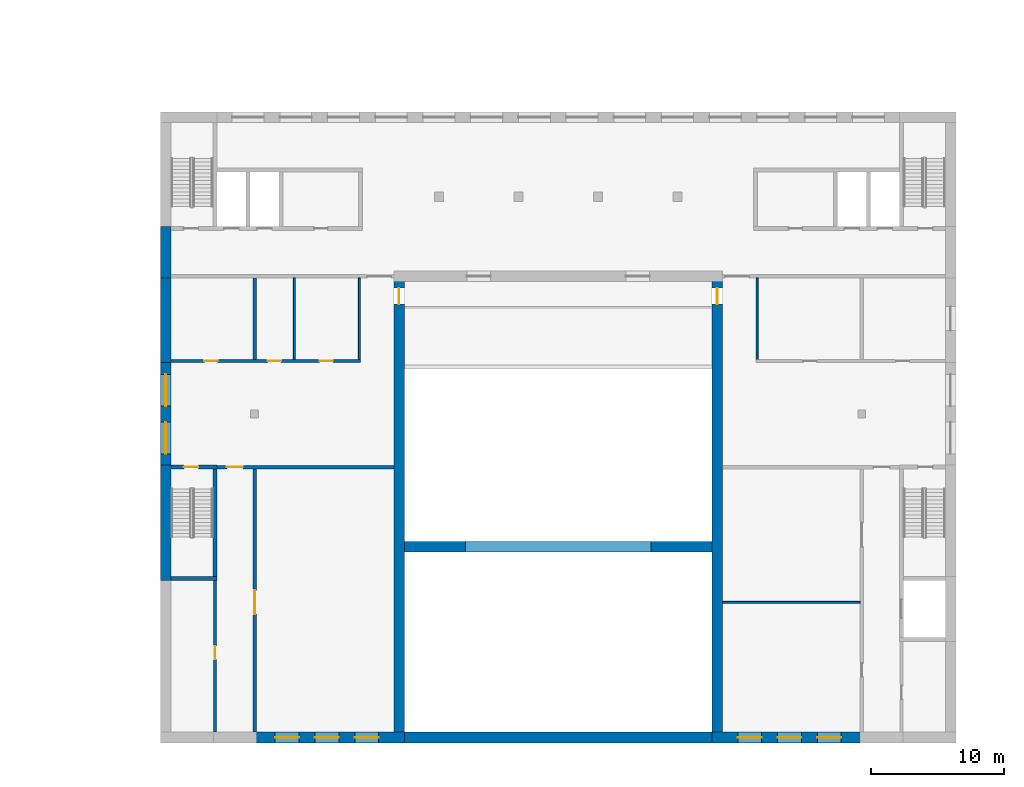
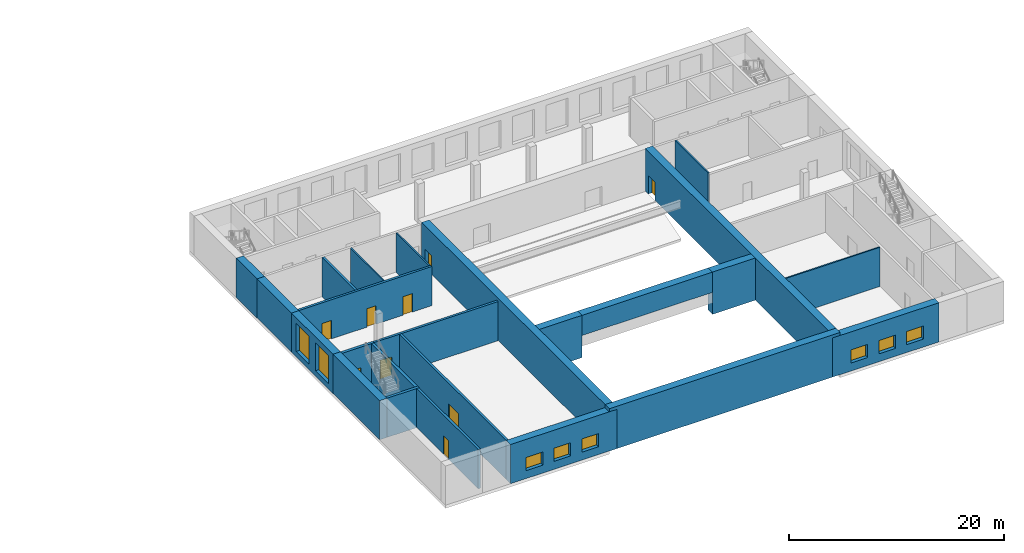
# One storey, part 4 of 27: 24 walls, 9 doors, 8 windows, 17 openings.
"""IFC4 building model written with IfcOpenShell, lengths in metres."""

from ifc_helpers import new_model, si_unit, direction, frame, frame_2d, origin, place, context, subcontext, project, spatial, rectangle, extrude, material, layer, layer_set, type_object, element, fill, save


model = new_model("IFC4")

# Units and contexts
model_context = context("Model", 3, precision=1e-05, world=origin(), true_north=direction((0.0, 1.0)))
body_context = subcontext(model_context, "Body", "Model", "MODEL_VIEW")
ifc_project = project(units=[si_unit("LENGTHUNIT", "METRE"), si_unit("AREAUNIT", "SQUARE_METRE"), si_unit("VOLUMEUNIT", "CUBIC_METRE"), si_unit("PLANEANGLEUNIT", "RADIAN"), si_unit("MASSUNIT", "GRAM", prefix="KILO")], contexts=[model_context])

# Site, building, storey
site_placement = place(None, origin())
site = spatial("IfcSite", under=ifc_project, at=site_placement, CompositionType="ELEMENT")
building_placement = place(site_placement, origin())
building = spatial("IfcBuilding", under=site, at=building_placement, Name="Kiln Ring Residences", CompositionType="ELEMENT")
storey_placement = place(building_placement, frame((0.0, 0.0, 6.5)))
storey = spatial("IfcBuildingStorey", under=building, at=storey_placement, Name="L01", CompositionType="ELEMENT", Elevation=6.5)

# Walls
ifc_material_1 = material(Name="Concrete C40/50", Category="concrete")
ifc_layer_1 = layer(ifc_material_1, 0.800048828125)
ifc_layer_set_1 = layer_set([ifc_layer_1], Name="Hall Board-marked concrete C40/50 hall wall 800")
wall_type_1 = type_object("IfcWallType", Name="Hall Board-marked concrete C40/50 hall wall 800", PredefinedType="SOLIDWALL", material=ifc_layer_set_1)
wall_1_placement = place(storey_placement, frame((-12.39990234375, -159.60009765625, 0.0), z_axis=(0.0, 0.0, 1.0), x_axis=(1.0, 0.0, 0.0)))
element("IfcWall", 1, at=wall_1_placement, inside=storey, type_object=wall_type_1, Name="Hall wall L01 4", PredefinedType="SOLIDWALL", context=body_context, shape_type="SweptSolid", body=[
    extrude(rectangle(XDim=24.7998046875, YDim=0.800048828125, at=frame_2d((12.39990234375, 0.0))), origin(), (0.0, 0.0, 1.0), 4.800048828125),
])
ifc_material_2 = material(Name="Concrete C40/50", Category="concrete")
ifc_layer_2 = layer(ifc_material_2, 0.800048828125)
ifc_layer_set_2 = layer_set([ifc_layer_2], Name="Hall Board-marked concrete C40/50 hall wall 800 internal")
wall_type_2 = type_object("IfcWallType", Name="Hall Board-marked concrete C40/50 hall wall 800 internal", PredefinedType="SOLIDWALL", material=ifc_layer_set_2)
for number, where, z_axis, x_axis, name in (
    (2, (-11.60009765625, -145.199951171875, 0.0), (0.0, 0.0, 1.0), (1.0, 0.0, 0.0), "Hall proscenium pier L01 W"),
    (3, (7.0, -145.199951171875, 0.0), (0.0, 0.0, 1.0), (1.0, 0.0, 0.0), "Hall proscenium pier L01 E"),
):
    element("IfcWall", number, at=place(storey_placement, frame(where, z_axis=z_axis, x_axis=x_axis)), inside=storey, type_object=wall_type_2, Name=name, PredefinedType="SOLIDWALL", context=body_context, shape_type="SweptSolid", body=[
        extrude(rectangle(XDim=4.60009765625, YDim=0.800048828125, at=frame_2d((2.300048828125, 0.0))), origin(), (0.0, 0.0, 1.0), 4.800048828125),
    ])
wall_2_placement = place(storey_placement, frame((-7.0, -145.199951171875, 2.5), z_axis=(0.0, 0.0, 1.0), x_axis=(1.0, 0.0, 0.0)))
element("IfcWall", 4, at=wall_2_placement, inside=storey, type_object=wall_type_2, Name="Hall proscenium wall over the portal", PredefinedType="SOLIDWALL", context=body_context, shape_type="SweptSolid", body=[
    extrude(rectangle(XDim=14.0, YDim=0.800048828125, at=frame_2d((7.0, 0.0))), origin(), (0.0, 0.0, 1.0), 2.300048828125),
])

# Wall, opening, door
wall_3_placement = place(storey_placement, frame((-12.0, -159.199951171875, 0.0), z_axis=(0.0, 0.0, 1.0), x_axis=(0.0, 1.0, 0.0)))
wall_3 = element("IfcWall", 5, at=wall_3_placement, inside=storey, type_object=wall_type_2, Name="Hall wall L01 45", PredefinedType="SOLIDWALL", context=body_context, shape_type="SweptSolid", body=[
    extrude(rectangle(XDim=34.125, YDim=0.800048828125, at=frame_2d((17.0625, 0.0))), origin(), (0.0, 0.0, 1.0), 4.800048828125),
])
opening_1_placement = place(wall_3_placement, frame((32.300048828125, 0.0, 0.0)))
opening_1 = element("IfcOpeningElement", 6, at=opening_1_placement, cuts=wall_3, Name="Opening L01-14", PredefinedType="OPENING", context=body_context, shape_type="SweptSolid", body=[
    extrude(rectangle(XDim=1.199951171875, YDim=2.10009765625, at=frame_2d((0.60009765625, 1.050048828125))), frame((0.0, 0.409912109375, 0.0), z_axis=(0.0, -1.0, 0.0), x_axis=(1.0, 0.0, 0.0)), (0.0, 0.0, 1.0), 0.820068359375),
])
ifc_material_3 = material(Name="Steel door leaf", Category="steel")
door_type_1 = type_object("IfcDoorType", Name="Hall Single door 1200 x 2100", OperationType="SINGLE_SWING_LEFT", PredefinedType="DOOR", material=ifc_material_3)
door_1_placement = place(opening_1_placement, origin())
door_1 = element("IfcDoor", 7, at=door_1_placement, inside=storey, type_object=door_type_1, Name="Hall door L01-14", OperationType="SINGLE_SWING_RIGHT", OverallHeight=2.10009765625, OverallWidth=1.199951171875, PredefinedType="DOOR", context=body_context, shape_type="SweptSolid", body=[
    extrude(rectangle(XDim=1.199951171875, YDim=2.10009765625, at=frame_2d((0.60009765625, 1.050048828125))), frame((0.0, 0.02490234375, 0.0), z_axis=(0.0, -1.0, 0.0), x_axis=(1.0, 0.0, 0.0)), (0.0, 0.0, 1.0), 0.050048828125),
])
fill(opening_1, door_1)

wall_4_placement = place(storey_placement, frame((12.0, -159.199951171875, 0.0), z_axis=(0.0, 0.0, 1.0), x_axis=(0.0, 1.0, 0.0)))
wall_4 = element("IfcWall", 8, at=wall_4_placement, inside=storey, type_object=wall_type_2, Name="Hall wall L01 46", PredefinedType="SOLIDWALL", context=body_context, shape_type="SweptSolid", body=[
    extrude(rectangle(XDim=34.125, YDim=0.800048828125, at=frame_2d((17.0625, 0.0))), origin(), (0.0, 0.0, 1.0), 4.800048828125),
])
opening_2_placement = place(wall_4_placement, frame((32.300048828125, 0.0, 0.0)))
opening_2 = element("IfcOpeningElement", 9, at=opening_2_placement, cuts=wall_4, Name="Opening L01-15", PredefinedType="OPENING", context=body_context, shape_type="SweptSolid", body=[
    extrude(rectangle(XDim=1.199951171875, YDim=2.10009765625, at=frame_2d((0.60009765625, 1.050048828125))), frame((0.0, 0.409912109375, 0.0), z_axis=(0.0, -1.0, 0.0), x_axis=(1.0, 0.0, 0.0)), (0.0, 0.0, 1.0), 0.820068359375),
])
door_2_placement = place(opening_2_placement, origin())
door_2 = element("IfcDoor", 10, at=door_2_placement, inside=storey, type_object=door_type_1, Name="Hall door L01-15", OperationType="SINGLE_SWING_LEFT", OverallHeight=2.10009765625, OverallWidth=1.199951171875, PredefinedType="DOOR", context=body_context, shape_type="SweptSolid", body=[
    extrude(rectangle(XDim=1.199951171875, YDim=2.10009765625, at=frame_2d((0.60009765625, 1.050048828125))), frame((0.0, 0.02490234375, 0.0), z_axis=(0.0, -1.0, 0.0), x_axis=(1.0, 0.0, 0.0)), (0.0, 0.0, 1.0), 0.050048828125),
])
fill(opening_2, door_2)

# Wall, openings, windows
ifc_material_4 = material(Name="Concrete C40/50", Category="concrete")
ifc_layer_3 = layer(ifc_material_4, 0.800048828125)
ifc_layer_set_3 = layer_set([ifc_layer_3], Name="Hall Exposed brick-faced reinforced concrete C40/50 wall 800")
wall_type_3 = type_object("IfcWallType", Name="Hall Exposed brick-faced reinforced concrete C40/50 wall 800", PredefinedType="SOLIDWALL", material=ifc_layer_set_3)
wall_5_placement = place(storey_placement, frame((-23.02490234375, -159.60009765625, 0.0), z_axis=(0.0, 0.0, 1.0), x_axis=(1.0, 0.0, 0.0)))
wall_5 = element("IfcWall", 11, at=wall_5_placement, inside=storey, type_object=wall_type_3, Name="Hall wall L01 3", PredefinedType="SOLIDWALL", context=body_context, shape_type="SweptSolid", body=[
    extrude(rectangle(XDim=11.4248046875, YDim=0.800048828125, at=frame_2d((5.71240234375, 0.0))), origin(), (0.0, 0.0, 1.0), 4.449951171875),
])
opening_3_placement = place(wall_5_placement, frame((1.6748046875, 0.0, 0.89990234375)))
opening_3 = element("IfcOpeningElement", 12, at=opening_3_placement, cuts=wall_5, Name="Opening WL01-20", PredefinedType="OPENING", context=body_context, shape_type="SweptSolid", body=[
    extrude(rectangle(XDim=1.800048828125, YDim=1.5, at=frame_2d((0.89990234375, 0.75))), frame((0.0, 0.409912109375, 0.0), z_axis=(0.0, -1.0, 0.0), x_axis=(1.0, 0.0, 0.0)), (0.0, 0.0, 1.0), 0.820068359375),
])
opening_4_placement = place(wall_5_placement, frame((4.6748046875, 0.0, 0.89990234375)))
opening_4 = element("IfcOpeningElement", 13, at=opening_4_placement, cuts=wall_5, Name="Opening WL01-21", PredefinedType="OPENING", context=body_context, shape_type="SweptSolid", body=[
    extrude(rectangle(XDim=1.800048828125, YDim=1.5, at=frame_2d((0.89990234375, 0.75))), frame((0.0, 0.409912109375, 0.0), z_axis=(0.0, -1.0, 0.0), x_axis=(1.0, 0.0, 0.0)), (0.0, 0.0, 1.0), 0.820068359375),
])
opening_5_placement = place(wall_5_placement, frame((7.6748046875, 0.0, 0.89990234375)))
opening_5 = element("IfcOpeningElement", 14, at=opening_5_placement, cuts=wall_5, Name="Opening WL01-22", PredefinedType="OPENING", context=body_context, shape_type="SweptSolid", body=[
    extrude(rectangle(XDim=1.800048828125, YDim=1.5, at=frame_2d((0.89990234375, 0.75))), frame((0.0, 0.409912109375, 0.0), z_axis=(0.0, -1.0, 0.0), x_axis=(1.0, 0.0, 0.0)), (0.0, 0.0, 1.0), 0.820068359375),
])
ifc_material_5 = material(Name="Glazing in aluminium frame", Category="aluminium")
window_type_1 = type_object("IfcWindowType", Name="Hall room window 1800 x 1500", PartitioningType="DOUBLE_PANEL_VERTICAL", PredefinedType="WINDOW", material=ifc_material_5)
window_1_placement = place(opening_3_placement, origin())
window_1 = element("IfcWindow", 15, at=window_1_placement, inside=storey, type_object=window_type_1, Name="Hall window L01-20", OverallHeight=1.5, OverallWidth=1.800048828125, PartitioningType="SINGLE_PANEL", PredefinedType="WINDOW", context=body_context, shape_type="SweptSolid", body=[
    extrude(rectangle(XDim=1.800048828125, YDim=1.5, at=frame_2d((0.89990234375, 0.75))), frame((0.0, 0.030029296875, 0.0), z_axis=(0.0, -1.0, 0.0), x_axis=(1.0, 0.0, 0.0)), (0.0, 0.0, 1.0), 0.06005859375),
])
fill(opening_3, window_1)
window_2_placement = place(opening_4_placement, origin())
window_2 = element("IfcWindow", 16, at=window_2_placement, inside=storey, type_object=window_type_1, Name="Hall window L01-21", OverallHeight=1.5, OverallWidth=1.800048828125, PartitioningType="SINGLE_PANEL", PredefinedType="WINDOW", context=body_context, shape_type="SweptSolid", body=[
    extrude(rectangle(XDim=1.800048828125, YDim=1.5, at=frame_2d((0.89990234375, 0.75))), frame((0.0, 0.030029296875, 0.0), z_axis=(0.0, -1.0, 0.0), x_axis=(1.0, 0.0, 0.0)), (0.0, 0.0, 1.0), 0.06005859375),
])
fill(opening_4, window_2)
window_3_placement = place(opening_5_placement, origin())
window_3 = element("IfcWindow", 17, at=window_3_placement, inside=storey, type_object=window_type_1, Name="Hall window L01-22", OverallHeight=1.5, OverallWidth=1.800048828125, PartitioningType="SINGLE_PANEL", PredefinedType="WINDOW", context=body_context, shape_type="SweptSolid", body=[
    extrude(rectangle(XDim=1.800048828125, YDim=1.5, at=frame_2d((0.89990234375, 0.75))), frame((0.0, 0.030029296875, 0.0), z_axis=(0.0, -1.0, 0.0), x_axis=(1.0, 0.0, 0.0)), (0.0, 0.0, 1.0), 0.06005859375),
])
fill(opening_5, window_3)

wall_6_placement = place(storey_placement, frame((11.60009765625, -159.60009765625, 0.0), z_axis=(0.0, 0.0, 1.0), x_axis=(1.0, 0.0, 0.0)))
wall_6 = element("IfcWall", 18, at=wall_6_placement, inside=storey, type_object=wall_type_3, Name="Hall wall L01 5", PredefinedType="SOLIDWALL", context=body_context, shape_type="SweptSolid", body=[
    extrude(rectangle(XDim=11.4248046875, YDim=0.800048828125, at=frame_2d((5.71240234375, 0.0))), origin(), (0.0, 0.0, 1.0), 4.449951171875),
])
opening_6_placement = place(wall_6_placement, frame((1.949951171875, 0.0, 0.89990234375)))
opening_6 = element("IfcOpeningElement", 19, at=opening_6_placement, cuts=wall_6, Name="Opening WL01-23", PredefinedType="OPENING", context=body_context, shape_type="SweptSolid", body=[
    extrude(rectangle(XDim=1.800048828125, YDim=1.5, at=frame_2d((0.89990234375, 0.75))), frame((0.0, 0.409912109375, 0.0), z_axis=(0.0, -1.0, 0.0), x_axis=(1.0, 0.0, 0.0)), (0.0, 0.0, 1.0), 0.820068359375),
])
opening_7_placement = place(wall_6_placement, frame((4.949951171875, 0.0, 0.89990234375)))
opening_7 = element("IfcOpeningElement", 20, at=opening_7_placement, cuts=wall_6, Name="Opening WL01-24", PredefinedType="OPENING", context=body_context, shape_type="SweptSolid", body=[
    extrude(rectangle(XDim=1.800048828125, YDim=1.5, at=frame_2d((0.89990234375, 0.75))), frame((0.0, 0.409912109375, 0.0), z_axis=(0.0, -1.0, 0.0), x_axis=(1.0, 0.0, 0.0)), (0.0, 0.0, 1.0), 0.820068359375),
])
opening_8_placement = place(wall_6_placement, frame((7.949951171875, 0.0, 0.89990234375)))
opening_8 = element("IfcOpeningElement", 21, at=opening_8_placement, cuts=wall_6, Name="Opening WL01-25", PredefinedType="OPENING", context=body_context, shape_type="SweptSolid", body=[
    extrude(rectangle(XDim=1.800048828125, YDim=1.5, at=frame_2d((0.89990234375, 0.75))), frame((0.0, 0.409912109375, 0.0), z_axis=(0.0, -1.0, 0.0), x_axis=(1.0, 0.0, 0.0)), (0.0, 0.0, 1.0), 0.820068359375),
])
window_4_placement = place(opening_6_placement, origin())
window_4 = element("IfcWindow", 22, at=window_4_placement, inside=storey, type_object=window_type_1, Name="Hall window L01-23", OverallHeight=1.5, OverallWidth=1.800048828125, PartitioningType="SINGLE_PANEL", PredefinedType="WINDOW", context=body_context, shape_type="SweptSolid", body=[
    extrude(rectangle(XDim=1.800048828125, YDim=1.5, at=frame_2d((0.89990234375, 0.75))), frame((0.0, 0.030029296875, 0.0), z_axis=(0.0, -1.0, 0.0), x_axis=(1.0, 0.0, 0.0)), (0.0, 0.0, 1.0), 0.06005859375),
])
fill(opening_6, window_4)
window_5_placement = place(opening_7_placement, origin())
window_5 = element("IfcWindow", 23, at=window_5_placement, inside=storey, type_object=window_type_1, Name="Hall window L01-24", OverallHeight=1.5, OverallWidth=1.800048828125, PartitioningType="SINGLE_PANEL", PredefinedType="WINDOW", context=body_context, shape_type="SweptSolid", body=[
    extrude(rectangle(XDim=1.800048828125, YDim=1.5, at=frame_2d((0.89990234375, 0.75))), frame((0.0, 0.030029296875, 0.0), z_axis=(0.0, -1.0, 0.0), x_axis=(1.0, 0.0, 0.0)), (0.0, 0.0, 1.0), 0.06005859375),
])
fill(opening_7, window_5)
window_6_placement = place(opening_8_placement, origin())
window_6 = element("IfcWindow", 24, at=window_6_placement, inside=storey, type_object=window_type_1, Name="Hall window L01-25", OverallHeight=1.5, OverallWidth=1.800048828125, PartitioningType="SINGLE_PANEL", PredefinedType="WINDOW", context=body_context, shape_type="SweptSolid", body=[
    extrude(rectangle(XDim=1.800048828125, YDim=1.5, at=frame_2d((0.89990234375, 0.75))), frame((0.0, 0.030029296875, 0.0), z_axis=(0.0, -1.0, 0.0), x_axis=(1.0, 0.0, 0.0)), (0.0, 0.0, 1.0), 0.06005859375),
])
fill(opening_8, window_6)

# Wall
wall_7_placement = place(storey_placement, frame((-29.60009765625, -147.75, 0.0), z_axis=(0.0, 0.0, 1.0), x_axis=(0.0, 1.0, 0.0)))
element("IfcWall", 25, at=wall_7_placement, inside=storey, type_object=wall_type_3, Name="Hall wall L01 30", PredefinedType="SOLIDWALL", context=body_context, shape_type="SweptSolid", body=[
    extrude(rectangle(XDim=8.699951171875, YDim=0.800048828125, at=frame_2d((4.35009765625, 0.0))), origin(), (0.0, 0.0, 1.0), 4.449951171875),
])

# Wall, openings, windows
wall_8_placement = place(storey_placement, frame((-29.60009765625, -139.349853515625, 0.0), z_axis=(0.0, 0.0, 1.0), x_axis=(0.0, 1.0, 0.0)))
wall_8 = element("IfcWall", 26, at=wall_8_placement, inside=storey, type_object=wall_type_3, Name="Hall wall L01 31", PredefinedType="SOLIDWALL", context=body_context, shape_type="SweptSolid", body=[
    extrude(rectangle(XDim=8.274658203125, YDim=0.800048828125, at=frame_2d((4.13720703125, 0.0))), origin(), (0.0, 0.0, 1.0), 4.449951171875),
])
opening_9_placement = place(wall_8_placement, frame((1.14990234375, 0.0, 0.60009765625)))
opening_9 = element("IfcOpeningElement", 27, at=opening_9_placement, cuts=wall_8, Name="Opening WL01-15", PredefinedType="OPENING", context=body_context, shape_type="SweptSolid", body=[
    extrude(rectangle(XDim=2.39990234375, YDim=3.199951171875, at=frame_2d((1.199951171875, 1.60009765625))), frame((0.0, 0.409912109375, 0.0), z_axis=(0.0, -1.0, 0.0), x_axis=(1.0, 0.0, 0.0)), (0.0, 0.0, 1.0), 0.820068359375),
])
opening_10_placement = place(wall_8_placement, frame((4.75, 0.0, 0.60009765625)))
opening_10 = element("IfcOpeningElement", 28, at=opening_10_placement, cuts=wall_8, Name="Opening WL01-16", PredefinedType="OPENING", context=body_context, shape_type="SweptSolid", body=[
    extrude(rectangle(XDim=2.39990234375, YDim=3.199951171875, at=frame_2d((1.199951171875, 1.60009765625))), frame((0.0, 0.409912109375, 0.0), z_axis=(0.0, -1.0, 0.0), x_axis=(1.0, 0.0, 0.0)), (0.0, 0.0, 1.0), 0.820068359375),
])
ifc_material_6 = material(Name="Glazing in aluminium frame", Category="aluminium")
window_type_2 = type_object("IfcWindowType", Name="Hall foyer window 2400 x 3200", PartitioningType="SINGLE_PANEL", PredefinedType="WINDOW", material=ifc_material_6)
window_7_placement = place(opening_9_placement, origin())
window_7 = element("IfcWindow", 29, at=window_7_placement, inside=storey, type_object=window_type_2, Name="Hall window L01-15", OverallHeight=3.199951171875, OverallWidth=2.39990234375, PartitioningType="SINGLE_PANEL", PredefinedType="WINDOW", context=body_context, shape_type="SweptSolid", body=[
    extrude(rectangle(XDim=2.39990234375, YDim=3.199951171875, at=frame_2d((1.199951171875, 1.60009765625))), frame((0.0, 0.030029296875, 0.0), z_axis=(0.0, -1.0, 0.0), x_axis=(1.0, 0.0, 0.0)), (0.0, 0.0, 1.0), 0.06005859375),
])
fill(opening_9, window_7)
window_8_placement = place(opening_10_placement, origin())
window_8 = element("IfcWindow", 30, at=window_8_placement, inside=storey, type_object=window_type_2, Name="Hall window L01-16", OverallHeight=3.199951171875, OverallWidth=2.39990234375, PartitioningType="SINGLE_PANEL", PredefinedType="WINDOW", context=body_context, shape_type="SweptSolid", body=[
    extrude(rectangle(XDim=2.39990234375, YDim=3.199951171875, at=frame_2d((1.199951171875, 1.60009765625))), frame((0.0, 0.030029296875, 0.0), z_axis=(0.0, -1.0, 0.0), x_axis=(1.0, 0.0, 0.0)), (0.0, 0.0, 1.0), 0.06005859375),
])
fill(opening_10, window_8)

# Walls
wall_9_placement = place(storey_placement, frame((-29.60009765625, -131.324951171875, 0.0), z_axis=(0.0, 0.0, 1.0), x_axis=(0.0, 1.0, 0.0)))
element("IfcWall", 31, at=wall_9_placement, inside=storey, type_object=wall_type_3, Name="Hall wall L01 32", PredefinedType="SOLIDWALL", context=body_context, shape_type="SweptSolid", body=[
    extrude(rectangle(XDim=6.64990234375, YDim=0.800048828125, at=frame_2d((3.324951171875, 0.0))), origin(), (0.0, 0.0, 1.0), 4.449951171875),
])
wall_10_placement = place(storey_placement, frame((-29.60009765625, -124.9248046875, 0.0), z_axis=(0.0, 0.0, 1.0), x_axis=(0.0, 1.0, 0.0)))
element("IfcWall", 32, at=wall_10_placement, inside=storey, type_object=wall_type_3, Name="Hall wall L01 33", PredefinedType="SOLIDWALL", context=body_context, shape_type="SweptSolid", body=[
    extrude(rectangle(XDim=3.874755859375, YDim=0.800048828125, at=frame_2d((1.9375, 0.0))), origin(), (0.0, 0.0, 1.0), 4.449951171875),
])
ifc_material_7 = material(Name="Concrete C40/50", Category="concrete")
ifc_layer_4 = layer(ifc_material_7, 0.300048828125)
ifc_layer_set_4 = layer_set([ifc_layer_4], Name="Hall Reinforced concrete C40/50 core wall 300")
wall_type_4 = type_object("IfcWallType", Name="Hall Reinforced concrete C40/50 core wall 300", PredefinedType="SOLIDWALL", material=ifc_layer_set_4)
wall_11_placement = place(storey_placement, frame((-29.199951171875, -147.60009765625, 0.0), z_axis=(0.0, 0.0, 1.0), x_axis=(1.0, 0.0, 0.0)))
element("IfcWall", 33, at=wall_11_placement, inside=storey, type_object=wall_type_4, Name="Hall wall L01 10", PredefinedType="SOLIDWALL", context=body_context, shape_type="SweptSolid", body=[
    extrude(rectangle(XDim=3.449951171875, YDim=0.300048828125, at=frame_2d((1.72509765625, 0.0))), origin(), (0.0, 0.0, 1.0), 4.449951171875),
])

# Wall, opening, door
wall_12_placement = place(storey_placement, frame((-29.199951171875, -139.199951171875, 0.0), z_axis=(0.0, 0.0, 1.0), x_axis=(1.0, 0.0, 0.0)))
wall_12 = element("IfcWall", 34, at=wall_12_placement, inside=storey, type_object=wall_type_4, Name="Hall wall L01 13", PredefinedType="SOLIDWALL", context=body_context, shape_type="SweptSolid", body=[
    extrude(rectangle(XDim=3.449951171875, YDim=0.300048828125, at=frame_2d((1.72509765625, 0.0))), origin(), (0.0, 0.0, 1.0), 4.449951171875),
])
opening_11_placement = place(wall_12_placement, frame((0.949951171875, 0.0, 0.0)))
opening_11 = element("IfcOpeningElement", 35, at=opening_11_placement, cuts=wall_12, Name="Opening L01-08", PredefinedType="OPENING", context=body_context, shape_type="SweptSolid", body=[
    extrude(rectangle(XDim=1.10009765625, YDim=2.10009765625, at=frame_2d((0.550048828125, 1.050048828125))), frame((0.0, 0.159912109375, 0.0), z_axis=(0.0, -1.0, 0.0), x_axis=(1.0, 0.0, 0.0)), (0.0, 0.0, 1.0), 0.320068359375),
])
ifc_material_8 = material(Name="Steel door leaf", Category="steel")
door_type_2 = type_object("IfcDoorType", Name="Hall Stair door 1100 x 2100", OperationType="SINGLE_SWING_LEFT", PredefinedType="DOOR", material=ifc_material_8)
door_3_placement = place(opening_11_placement, origin())
door_3 = element("IfcDoor", 36, at=door_3_placement, inside=storey, type_object=door_type_2, Name="Hall door L01-08", OperationType="SINGLE_SWING_RIGHT", OverallHeight=2.10009765625, OverallWidth=1.10009765625, PredefinedType="DOOR", context=body_context, shape_type="SweptSolid", body=[
    extrude(rectangle(XDim=1.10009765625, YDim=2.10009765625, at=frame_2d((0.550048828125, 1.050048828125))), frame((0.0, 0.02490234375, 0.0), z_axis=(0.0, -1.0, 0.0), x_axis=(1.0, 0.0, 0.0)), (0.0, 0.0, 1.0), 0.050048828125),
])
fill(opening_11, door_3)

# Wall
wall_13_placement = place(storey_placement, frame((-25.89990234375, -147.449951171875, 0.0), z_axis=(0.0, 0.0, 1.0), x_axis=(0.0, 1.0, 0.0)))
element("IfcWall", 37, at=wall_13_placement, inside=storey, type_object=wall_type_4, Name="Hall wall L01 36", PredefinedType="SOLIDWALL", context=body_context, shape_type="SweptSolid", body=[
    extrude(rectangle(XDim=8.224853515625, YDim=0.300048828125, at=frame_2d((4.1123046875, 0.0))), origin(), (0.0, 0.0, 1.0), 4.449951171875),
])

# Wall, opening, door
ifc_material_9 = material(Name="Concrete C40/50", Category="concrete")
ifc_layer_5 = layer(ifc_material_9, 0.25)
ifc_layer_set_5 = layer_set([ifc_layer_5], Name="Hall Reinforced concrete C40/50 wall 250")
wall_type_5 = type_object("IfcWallType", Name="Hall Reinforced concrete C40/50 wall 250", PredefinedType="SOLIDWALL", material=ifc_layer_set_5)
wall_14_placement = place(storey_placement, frame((-25.75, -139.199951171875, 0.0), z_axis=(0.0, 0.0, 1.0), x_axis=(1.0, 0.0, 0.0)))
wall_14 = element("IfcWall", 38, at=wall_14_placement, inside=storey, type_object=wall_type_5, Name="Hall wall L01 14", PredefinedType="SOLIDWALL", context=body_context, shape_type="SweptSolid", body=[
    extrude(rectangle(XDim=13.35009765625, YDim=0.25, at=frame_2d((6.675048828125, 0.0))), origin(), (0.0, 0.0, 1.0), 4.449951171875),
])
opening_12_placement = place(wall_14_placement, frame((0.75, 0.0, 0.0)))
opening_12 = element("IfcOpeningElement", 39, at=opening_12_placement, cuts=wall_14, Name="Opening L01-21", PredefinedType="OPENING", context=body_context, shape_type="SweptSolid", body=[
    extrude(rectangle(XDim=1.199951171875, YDim=2.10009765625, at=frame_2d((0.60009765625, 1.050048828125))), frame((0.0, 0.135009765625, 0.0), z_axis=(0.0, -1.0, 0.0), x_axis=(1.0, 0.0, 0.0)), (0.0, 0.0, 1.0), 0.27001953125),
])
door_4_placement = place(opening_12_placement, origin())
door_4 = element("IfcDoor", 40, at=door_4_placement, inside=storey, type_object=door_type_1, Name="Hall door L01-21", OperationType="SINGLE_SWING_LEFT", OverallHeight=2.10009765625, OverallWidth=1.199951171875, PredefinedType="DOOR", context=body_context, shape_type="SweptSolid", body=[
    extrude(rectangle(XDim=1.199951171875, YDim=2.10009765625, at=frame_2d((0.60009765625, 1.050048828125))), frame((0.0, 0.02490234375, 0.0), z_axis=(0.0, -1.0, 0.0), x_axis=(1.0, 0.0, 0.0)), (0.0, 0.0, 1.0), 0.050048828125),
])
fill(opening_12, door_4)

# Wall, openings, doors
wall_15_placement = place(storey_placement, frame((-29.199951171875, -131.199951171875, 0.0), z_axis=(0.0, 0.0, 1.0), x_axis=(1.0, 0.0, 0.0)))
wall_15 = element("IfcWall", 41, at=wall_15_placement, inside=storey, type_object=wall_type_5, Name="Hall wall L01 17", PredefinedType="SOLIDWALL", context=body_context, shape_type="SweptSolid", body=[
    extrude(rectangle(XDim=14.27490234375, YDim=0.25, at=frame_2d((7.137451171875, 0.0))), origin(), (0.0, 0.0, 1.0), 4.449951171875),
])
opening_13_placement = place(wall_15_placement, frame((2.5, 0.0, 0.0)))
opening_13 = element("IfcOpeningElement", 42, at=opening_13_placement, cuts=wall_15, Name="Opening L01-18", PredefinedType="OPENING", context=body_context, shape_type="SweptSolid", body=[
    extrude(rectangle(XDim=1.0, YDim=2.10009765625, at=frame_2d((0.5, 1.050048828125))), frame((0.0, 0.135009765625, 0.0), z_axis=(0.0, -1.0, 0.0), x_axis=(1.0, 0.0, 0.0)), (0.0, 0.0, 1.0), 0.27001953125),
])
opening_14_placement = place(wall_15_placement, frame((7.300048828125, 0.0, 0.0)))
opening_14 = element("IfcOpeningElement", 43, at=opening_14_placement, cuts=wall_15, Name="Opening L01-19", PredefinedType="OPENING", context=body_context, shape_type="SweptSolid", body=[
    extrude(rectangle(XDim=1.0, YDim=2.10009765625, at=frame_2d((0.5, 1.050048828125))), frame((0.0, 0.135009765625, 0.0), z_axis=(0.0, -1.0, 0.0), x_axis=(1.0, 0.0, 0.0)), (0.0, 0.0, 1.0), 0.27001953125),
])
opening_15_placement = place(wall_15_placement, frame((11.199951171875, 0.0, 0.0)))
opening_15 = element("IfcOpeningElement", 44, at=opening_15_placement, cuts=wall_15, Name="Opening L01-20", PredefinedType="OPENING", context=body_context, shape_type="SweptSolid", body=[
    extrude(rectangle(XDim=1.0, YDim=2.10009765625, at=frame_2d((0.5, 1.050048828125))), frame((0.0, 0.135009765625, 0.0), z_axis=(0.0, -1.0, 0.0), x_axis=(1.0, 0.0, 0.0)), (0.0, 0.0, 1.0), 0.27001953125),
])
ifc_material_10 = material(Name="Steel door leaf", Category="steel")
door_type_3 = type_object("IfcDoorType", Name="Hall Single door 1000 x 2100", OperationType="SINGLE_SWING_LEFT", PredefinedType="DOOR", material=ifc_material_10)
door_5_placement = place(opening_13_placement, origin())
door_5 = element("IfcDoor", 45, at=door_5_placement, inside=storey, type_object=door_type_3, Name="Hall door L01-18", OperationType="SINGLE_SWING_RIGHT", OverallHeight=2.10009765625, OverallWidth=1.0, PredefinedType="DOOR", context=body_context, shape_type="SweptSolid", body=[
    extrude(rectangle(XDim=1.0, YDim=2.10009765625, at=frame_2d((0.5, 1.050048828125))), frame((0.0, 0.02490234375, 0.0), z_axis=(0.0, -1.0, 0.0), x_axis=(1.0, 0.0, 0.0)), (0.0, 0.0, 1.0), 0.050048828125),
])
fill(opening_13, door_5)
door_6_placement = place(opening_14_placement, origin())
door_6 = element("IfcDoor", 46, at=door_6_placement, inside=storey, type_object=door_type_3, Name="Hall door L01-19", OperationType="SINGLE_SWING_LEFT", OverallHeight=2.10009765625, OverallWidth=1.0, PredefinedType="DOOR", context=body_context, shape_type="SweptSolid", body=[
    extrude(rectangle(XDim=1.0, YDim=2.10009765625, at=frame_2d((0.5, 1.050048828125))), frame((0.0, 0.02490234375, 0.0), z_axis=(0.0, -1.0, 0.0), x_axis=(1.0, 0.0, 0.0)), (0.0, 0.0, 1.0), 0.050048828125),
])
fill(opening_14, door_6)
door_7_placement = place(opening_15_placement, origin())
door_7 = element("IfcDoor", 47, at=door_7_placement, inside=storey, type_object=door_type_3, Name="Hall door L01-20", OperationType="SINGLE_SWING_RIGHT", OverallHeight=2.10009765625, OverallWidth=1.0, PredefinedType="DOOR", context=body_context, shape_type="SweptSolid", body=[
    extrude(rectangle(XDim=1.0, YDim=2.10009765625, at=frame_2d((0.5, 1.050048828125))), frame((0.0, 0.02490234375, 0.0), z_axis=(0.0, -1.0, 0.0), x_axis=(1.0, 0.0, 0.0)), (0.0, 0.0, 1.0), 0.050048828125),
])
fill(opening_15, door_7)

# Wall, opening, door
wall_16_placement = place(storey_placement, frame((-25.89990234375, -159.199951171875, 0.0), z_axis=(0.0, 0.0, 1.0), x_axis=(0.0, 1.0, 0.0)))
wall_16 = element("IfcWall", 48, at=wall_16_placement, inside=storey, type_object=wall_type_5, Name="Hall wall L01 35", PredefinedType="SOLIDWALL", context=body_context, shape_type="SweptSolid", body=[
    extrude(rectangle(XDim=11.449951171875, YDim=0.25, at=frame_2d((5.72509765625, 0.0))), origin(), (0.0, 0.0, 1.0), 4.449951171875),
])
opening_16_placement = place(wall_16_placement, frame((5.5, 0.0, 0.0)))
opening_16 = element("IfcOpeningElement", 49, at=opening_16_placement, cuts=wall_16, Name="Opening L01-24", PredefinedType="OPENING", context=body_context, shape_type="SweptSolid", body=[
    extrude(rectangle(XDim=1.0, YDim=2.10009765625, at=frame_2d((0.5, 1.050048828125))), frame((0.0, 0.135009765625, 0.0), z_axis=(0.0, -1.0, 0.0), x_axis=(1.0, 0.0, 0.0)), (0.0, 0.0, 1.0), 0.27001953125),
])
door_8_placement = place(opening_16_placement, origin())
door_8 = element("IfcDoor", 50, at=door_8_placement, inside=storey, type_object=door_type_3, Name="Hall door L01-24", OperationType="SINGLE_SWING_RIGHT", OverallHeight=2.10009765625, OverallWidth=1.0, PredefinedType="DOOR", context=body_context, shape_type="SweptSolid", body=[
    extrude(rectangle(XDim=1.0, YDim=2.10009765625, at=frame_2d((0.5, 1.050048828125))), frame((0.0, 0.02490234375, 0.0), z_axis=(0.0, -1.0, 0.0), x_axis=(1.0, 0.0, 0.0)), (0.0, 0.0, 1.0), 0.050048828125),
])
fill(opening_16, door_8)

wall_17_placement = place(storey_placement, frame((-22.89990234375, -159.199951171875, 0.0), z_axis=(0.0, 0.0, 1.0), x_axis=(0.0, 1.0, 0.0)))
wall_17 = element("IfcWall", 51, at=wall_17_placement, inside=storey, type_object=wall_type_5, Name="Hall wall L01 39", PredefinedType="SOLIDWALL", context=body_context, shape_type="SweptSolid", body=[
    extrude(rectangle(XDim=19.875, YDim=0.25, at=frame_2d((9.9375, 0.0))), origin(), (0.0, 0.0, 1.0), 4.449951171875),
])
opening_17_placement = place(wall_17_placement, frame((8.89990234375, 0.0, 0.0)))
opening_17 = element("IfcOpeningElement", 52, at=opening_17_placement, cuts=wall_17, Name="Opening L01-23", PredefinedType="OPENING", context=body_context, shape_type="SweptSolid", body=[
    extrude(rectangle(XDim=1.800048828125, YDim=2.10009765625, at=frame_2d((0.89990234375, 1.050048828125))), frame((0.0, 0.135009765625, 0.0), z_axis=(0.0, -1.0, 0.0), x_axis=(1.0, 0.0, 0.0)), (0.0, 0.0, 1.0), 0.27001953125),
])
ifc_material_11 = material(Name="Steel door leaf", Category="steel")
door_type_4 = type_object("IfcDoorType", Name="Hall Double door 1800 x 2100", OperationType="DOUBLE_DOOR_SINGLE_SWING", PredefinedType="DOOR", material=ifc_material_11)
door_9_placement = place(opening_17_placement, origin())
door_9 = element("IfcDoor", 53, at=door_9_placement, inside=storey, type_object=door_type_4, Name="Hall door L01-23", OperationType="DOUBLE_DOOR_SINGLE_SWING", OverallHeight=2.10009765625, OverallWidth=1.800048828125, PredefinedType="DOOR", context=body_context, shape_type="SweptSolid", body=[
    extrude(rectangle(XDim=1.800048828125, YDim=2.10009765625, at=frame_2d((0.89990234375, 1.050048828125))), frame((0.0, 0.02490234375, 0.0), z_axis=(0.0, -1.0, 0.0), x_axis=(1.0, 0.0, 0.0)), (0.0, 0.0, 1.0), 0.050048828125),
])
fill(opening_17, door_9)

# Walls
wall_18_placement = place(storey_placement, frame((-22.89990234375, -131.074951171875, 0.0), z_axis=(0.0, 0.0, 1.0), x_axis=(0.0, 1.0, 0.0)))
element("IfcWall", 54, at=wall_18_placement, inside=storey, type_object=wall_type_5, Name="Hall wall L01 40", PredefinedType="SOLIDWALL", context=body_context, shape_type="SweptSolid", body=[
    extrude(rectangle(XDim=6.14990234375, YDim=0.25, at=frame_2d((3.074951171875, 0.0))), origin(), (0.0, 0.0, 1.0), 4.449951171875),
])
ifc_material_12 = material(Name="Masonry blockwork f'm 10 MPa", Category="masonry")
ifc_layer_6 = layer(ifc_material_12, 0.14990234375)
ifc_layer_set_6 = layer_set([ifc_layer_6], Name="Hall blockwork partition 150")
wall_type_6 = type_object("IfcWallType", Name="Hall blockwork partition 150", PredefinedType="PARTITIONING", material=ifc_layer_set_6)
wall_19_placement = place(storey_placement, frame((12.39990234375, -149.39990234375, 0.0), z_axis=(0.0, 0.0, 1.0), x_axis=(1.0, 0.0, 0.0)))
element("IfcWall", 55, at=wall_19_placement, inside=storey, type_object=wall_type_6, Name="Hall wall L01 9", PredefinedType="PARTITIONING", context=body_context, shape_type="SweptSolid", body=[
    extrude(rectangle(XDim=10.375, YDim=0.14990234375, at=frame_2d((5.1875, 0.0))), origin(), (0.0, 0.0, 1.0), 4.449951171875),
])
for number, where, z_axis, x_axis, name in (
    (56, (-19.89990234375, -131.074951171875, 0.0), (0.0, 0.0, 1.0), (0.0, 1.0, 0.0), "Hall wall L01 42"),
    (57, (-15.0, -131.074951171875, 0.0), (0.0, 0.0, 1.0), (0.0, 1.0, 0.0), "Hall wall L01 43"),
    (58, (15.0, -131.074951171875, 0.0), (0.0, 0.0, 1.0), (0.0, 1.0, 0.0), "Hall wall L01 48"),
):
    element("IfcWall", number, at=place(storey_placement, frame(where, z_axis=z_axis, x_axis=x_axis)), inside=storey, type_object=wall_type_6, Name=name, PredefinedType="PARTITIONING", context=body_context, shape_type="SweptSolid", body=[
        extrude(rectangle(XDim=6.14990234375, YDim=0.14990234375, at=frame_2d((3.074951171875, 0.0))), origin(), (0.0, 0.0, 1.0), 4.449951171875),
    ])

save(model, "model.ifc")
